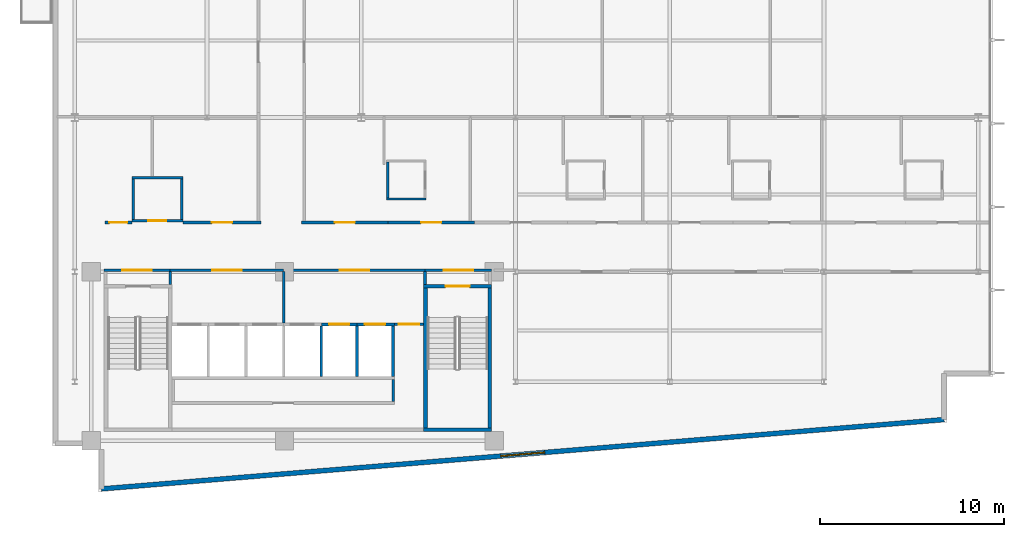
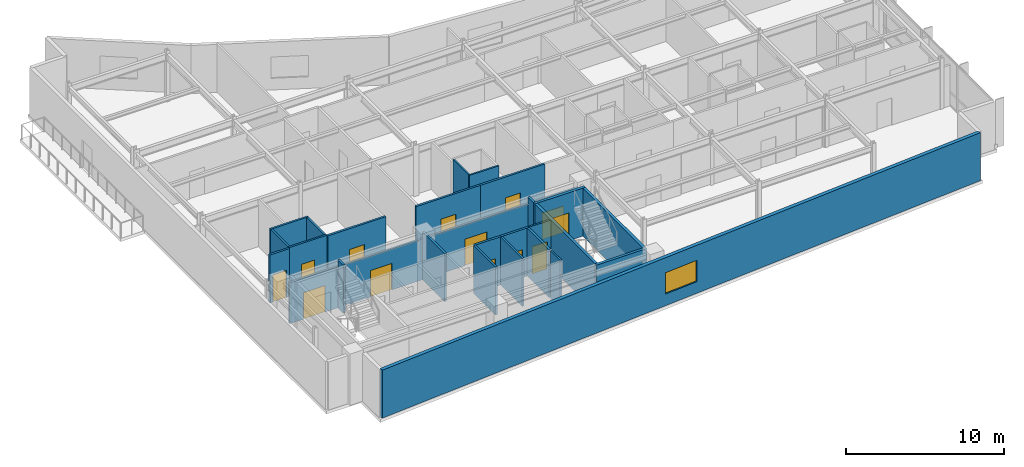
# One storey, part 11 of 17: 29 walls, 13 doors, 1 window, 14 openings.
"""IFC4 building model written with IfcOpenShell, lengths in metres."""

import ifcopenshell
import ifcopenshell.guid

model = None  # the IFC model being written
_history = None  # IfcOwnerHistory: only IFC2X3 demands one
_inside = {}  # id of a spatial element -> (the spatial element, [elements in it])
_under = {}  # id of a project, library or spatial element -> (it, [spatial elements below it])
_declared = {}  # id of a project -> (the project, [libraries it declares])
_typed = {}  # id of a type object -> (the type object, [elements of that type])
_made_of = {}  # id of a material, layer set ... -> (it, [elements and type objects made of it])


def new_model(schema):
    """Start an empty IFC model of exactly this schema.

    Asked for "IFC4X3", IfcOpenShell would pick the latest addendum, in which some entities
    have other attributes; the version numbers below select the first issue.
    IFC2X3 requires an IfcOwnerHistory on every rooted entity: one is made here for all.
    """
    global model, _history
    if schema == "IFC4X3":
        model = ifcopenshell.file(schema_version=(4, 3, 0, 0))
    else:
        model = ifcopenshell.file(schema=schema)
    _inside.clear()
    _under.clear()
    _declared.clear()
    _typed.clear()
    _made_of.clear()
    _history = None
    if model.schema == "IFC2X3":
        org = make("IfcOrganization", Name="unknown")
        user = make(
            "IfcPersonAndOrganization",
            ThePerson=make("IfcPerson", FamilyName="unknown"),
            TheOrganization=org,
        )
        app = make(
            "IfcApplication",
            ApplicationDeveloper=org,
            Version="unknown",
            ApplicationFullName="unknown",
            ApplicationIdentifier="unknown",
        )
        _history = make(
            "IfcOwnerHistory",
            OwningUser=user,
            OwningApplication=app,
            ChangeAction="ADDED",
            CreationDate=0,
        )
    return model


def make(cls, **values):
    """One entity of the class cls with the attributes given. An attribute that is None is left unset."""
    return model.create_entity(
        cls, **{name: value for name, value in values.items() if value is not None}
    )


def rooted(cls, **values):
    """An entity with a GlobalId (a new one), such as an element, a storey or a relation."""
    return make(cls, GlobalId=ifcopenshell.guid.new(), OwnerHistory=_history, **values)


def si_unit(unit_type, name, prefix=None):
    """IfcSIUnit, for example si_unit("LENGTHUNIT", "METRE", prefix="MILLI")."""
    return make("IfcSIUnit", UnitType=unit_type, Prefix=prefix, Name=name)


def assignment(units):
    """IfcUnitAssignment: the units of a project."""
    return None if units is None else make("IfcUnitAssignment", Units=units)


def point(xyz):
    """IfcCartesianPoint."""
    return None if xyz is None else make("IfcCartesianPoint", Coordinates=xyz)


def direction(xyz):
    """IfcDirection."""
    return None if xyz is None else make("IfcDirection", DirectionRatios=xyz)


def frame(location, z_axis=None, x_axis=None):
    """IfcAxis2Placement3D, a coordinate frame: its origin and axes. An axis left out is left unset."""
    return make(
        "IfcAxis2Placement3D",
        Location=point(location),
        Axis=direction(z_axis),
        RefDirection=direction(x_axis),
    )


def frame_2d(location, x_axis=None):
    """IfcAxis2Placement2D, a coordinate frame in the plane: its origin and x axis."""
    return make(
        "IfcAxis2Placement2D", Location=point(location), RefDirection=direction(x_axis)
    )


def origin():
    """The frame at (0, 0, 0) with its axes left unset."""
    return frame((0.0, 0.0, 0.0))


def place(relative_to, where):
    """IfcLocalPlacement: puts the frame where relative to a parent placement (None: the world)."""
    return make(
        "IfcLocalPlacement", PlacementRelTo=relative_to, RelativePlacement=where
    )


def context(
    kind, dimensions, precision=None, world=None, true_north=None, identifier=None
):
    """IfcGeometricRepresentationContext, for example the 3D "Model" context."""
    return make(
        "IfcGeometricRepresentationContext",
        ContextIdentifier=identifier,
        ContextType=kind,
        CoordinateSpaceDimension=dimensions,
        Precision=precision,
        WorldCoordinateSystem=world,
        TrueNorth=true_north,
    )


def subcontext(parent, identifier, kind, view, scale=None):
    """IfcGeometricRepresentationSubContext, for example "Body" below "Model"."""
    return make(
        "IfcGeometricRepresentationSubContext",
        ContextIdentifier=identifier,
        ContextType=kind,
        ParentContext=parent,
        TargetScale=scale,
        TargetView=view,
    )


def project(units=None, contexts=None):
    """IfcProject with its units and contexts."""
    return rooted(
        "IfcProject",
        Name="project",
        RepresentationContexts=contexts,
        UnitsInContext=assignment(units),
    )


def spatial(cls, under=None, at=None, **own):
    """A site, building, storey or space (cls), placed at a placement, below another one or the project."""
    s = rooted(cls, ObjectPlacement=at, **own)
    if under is not None:
        _under.setdefault(under.id(), (under, []))[1].append(s)
    return s


def profile(cls, at=None, kind="AREA", **sizes):
    """A parametric profile (cls). Its sizes go by their IFC names, for example OverallWidth=200.0."""
    return make(cls, ProfileType=kind, Position=at, **sizes)


def rectangle(**sizes):
    """IfcRectangleProfileDef."""
    return profile("IfcRectangleProfileDef", **sizes)


def extrude(swept, where, along, depth):
    """IfcExtrudedAreaSolid: the profile swept, set in the frame where, extruded along a direction by depth."""
    return make(
        "IfcExtrudedAreaSolid",
        SweptArea=swept,
        Position=where,
        ExtrudedDirection=direction(along),
        Depth=depth,
    )


def shape(context_of_items, identifier, shape_type, items):
    """IfcShapeRepresentation: the items that make up one representation, for example the "Body"."""
    return make(
        "IfcShapeRepresentation",
        ContextOfItems=context_of_items,
        RepresentationIdentifier=identifier,
        RepresentationType=shape_type,
        Items=items,
    )


def material(Name=None, Category=None):
    """IfcMaterial."""
    return make("IfcMaterial", Name=Name, Category=Category)


def layer(
    of_material, thickness, ventilated=None, Name=None, Category=None, Priority=None
):
    """IfcMaterialLayer: one layer of a wall or slab, of a material (None: an air gap)."""
    return make(
        "IfcMaterialLayer",
        Material=of_material,
        LayerThickness=thickness,
        IsVentilated=ventilated,
        Name=Name,
        Category=Category,
        Priority=Priority,
    )


def layer_set(layers, Name=None):
    """IfcMaterialLayerSet."""
    return make("IfcMaterialLayerSet", MaterialLayers=layers, LayerSetName=Name)


def made_of(thing, what):
    """Note that an element or type object is made of a material, layer set ...; save() writes the relation."""
    if what is not None:
        _made_of.setdefault(what.id(), (what, []))[1].append(thing)
    return thing


def type_object(cls, material=None, **own):
    """A type object (cls), such as IfcWallType, which elements share."""
    return made_of(rooted(cls, **own), material)


def element(
    cls,
    number,
    at=None,
    inside=None,
    cuts=None,
    type_object=None,
    material=None,
    context=None,
    identifier="Body",
    shape_type=None,
    held_by="IfcProductDefinitionShape",
    body=None,
    shapes=None,
    **own,
):
    """One element of the class cls, such as IfcWall. Its Tag is "e" and its number.

    at: its placement. inside: the storey or other place that contains it. cuts: it is an
    opening in that element (IfcRelVoidsElement). A single representation is given by context,
    identifier, shape_type and body (its items); several are given by shapes. held_by: the class
    of the entity that holds the representations. save() writes the other relations.
    """
    e = rooted(cls, Tag="e%d" % number, ObjectPlacement=at, **own)
    if body is not None:
        shapes = [shape(context, identifier, shape_type, body)]
    if shapes is not None:
        e.Representation = make(held_by, Representations=shapes)
    if inside is not None:
        _inside.setdefault(inside.id(), (inside, []))[1].append(e)
    if cuts is not None:
        rooted(
            "IfcRelVoidsElement", RelatingBuildingElement=cuts, RelatedOpeningElement=e
        )
    if type_object is not None:
        _typed.setdefault(type_object.id(), (type_object, []))[1].append(e)
    return made_of(e, material)


def fill(opening, filler):
    """IfcRelFillsElement: the door or window that sits in an opening."""
    return rooted(
        "IfcRelFillsElement",
        RelatingOpeningElement=opening,
        RelatedBuildingElement=filler,
    )


def aggregate(whole, parts):
    """IfcRelAggregates: a whole, such as a stair, and the parts it consists of."""
    return rooted("IfcRelAggregates", RelatingObject=whole, RelatedObjects=parts)


def save(model, path):
    """Write the relations noted so far, then the file.

    IfcRelAggregates (storeys below a building ...), IfcRelContainedInSpatialStructure (elements
    in a storey), IfcRelDefinesByType, IfcRelAssociatesMaterial and IfcRelDeclares: one each for
    every whole, place, type object, material and project.
    """
    for whole, parts in _under.values():
        aggregate(whole, parts)
    for where, things in _inside.values():
        rooted(
            "IfcRelContainedInSpatialStructure",
            RelatedElements=things,
            RelatingStructure=where,
        )
    for kind, things in _typed.values():
        rooted("IfcRelDefinesByType", RelatedObjects=things, RelatingType=kind)
    for what, things in _made_of.values():
        rooted("IfcRelAssociatesMaterial", RelatedObjects=things, RelatingMaterial=what)
    for by, libraries in _declared.values():
        rooted("IfcRelDeclares", RelatingContext=by, RelatedDefinitions=libraries)
    model.write(path)


model = new_model("IFC4")

# Units and contexts
model_context = context("Model", 3, precision=1e-05, world=origin(), true_north=direction((0.0, 1.0)))
body_context = subcontext(model_context, "Body", "Model", "MODEL_VIEW")
ifc_project = project(units=[si_unit("LENGTHUNIT", "METRE"), si_unit("AREAUNIT", "SQUARE_METRE"), si_unit("VOLUMEUNIT", "CUBIC_METRE"), si_unit("PLANEANGLEUNIT", "RADIAN"), si_unit("MASSUNIT", "GRAM", prefix="KILO")], contexts=[model_context])

# Site, building, storey
site_placement = place(None, origin())
site = spatial("IfcSite", under=ifc_project, at=site_placement, CompositionType="ELEMENT")
building_placement = place(site_placement, origin())
building = spatial("IfcBuilding", under=site, at=building_placement, Name="Varnakote Quay Hospital", CompositionType="ELEMENT")
storey_placement = place(building_placement, frame((0.0, 0.0, 203.949951171875)))
storey = spatial("IfcBuildingStorey", under=building, at=storey_placement, Name="L50", CompositionType="ELEMENT", Elevation=203.949951171875)

# Wall, opening, door
ifc_material_1 = material(Name="Fire-rated acoustic gypsum stud wall", Category="gypsum")
ifc_layer_1 = layer(ifc_material_1, 0.159912109375)
ifc_layer_set_1 = layer_set([ifc_layer_1], Name="Fire-rated acoustic gypsum stud wall")
wall_type_1 = type_object("IfcWallType", Name="WL-COMP-160", PredefinedType="PARTITIONING", material=ifc_layer_set_1)
wall_1_placement = place(storey_placement, frame((2.800048828125, 12.080078125, 0.0), z_axis=(0.0, 0.0, 1.0), x_axis=(1.0, 0.0, 0.0)))
wall_1 = element("IfcWall", 1, at=wall_1_placement, inside=storey, type_object=wall_type_1, Name="L50 West Stair Vestibule Smoke Wall", PredefinedType="PARTITIONING", context=body_context, shape_type="SweptSolid", body=[
    extrude(rectangle(XDim=3.599853515625, YDim=0.159912109375, at=frame_2d((1.7998046875, 0.0))), origin(), (0.0, 0.0, 1.0), 3.152099609375),
])
opening_1_placement = place(wall_1_placement, frame((1.0, 0.0, 0.0)))
opening_1 = element("IfcOpeningElement", 2, at=opening_1_placement, cuts=wall_1, Name="Opening D-ST1L-L50", PredefinedType="OPENING", context=body_context, shape_type="SweptSolid", body=[
    extrude(rectangle(XDim=1.60009765625, YDim=2.050048828125, at=frame_2d((0.800048828125, 1.02490234375))), frame((0.0, 0.08984375, 0.0), z_axis=(0.0, -1.0, 0.0), x_axis=(1.0, 0.0, 0.0)), (0.0, 0.0, 1.0), 0.179931640625),
])
ifc_material_2 = material(Name="Fire-rated double smoke lobby door")
door_type_1 = type_object("IfcDoorType", Name="DR-LOBBY-FD60S-1600x2150", OperationType="NOTDEFINED", PredefinedType="DOOR", material=ifc_material_2)
door_1_placement = place(opening_1_placement, origin())
door_1 = element("IfcDoor", 3, at=door_1_placement, inside=storey, type_object=door_type_1, Name="L50 West Stair Vestibule Smoke Door", OperationType="DOUBLE_DOOR_SINGLE_SWING", OverallHeight=2.050048828125, OverallWidth=1.60009765625, PredefinedType="DOOR", context=body_context, shape_type="SweptSolid", body=[
    extrude(rectangle(XDim=1.60009765625, YDim=2.050048828125, at=frame_2d((0.800048828125, 1.02490234375))), frame((0.0, 0.02490234375, 0.0), z_axis=(0.0, -1.0, 0.0), x_axis=(1.0, 0.0, 0.0)), (0.0, 0.0, 1.0), 0.050048828125),
])
fill(opening_1, door_1)

# Wall
wall_2_placement = place(storey_placement, frame((6.39990234375, 11.300048828125, 0.0), z_axis=(0.0, 0.0, 1.0), x_axis=(0.0, 1.0, 0.0)))
element("IfcWall", 4, at=wall_2_placement, inside=storey, type_object=wall_type_1, Name="L50 Firefighting Lobby West Wall", PredefinedType="PARTITIONING", context=body_context, shape_type="SweptSolid", body=[
    extrude(rectangle(XDim=0.699951171875, YDim=0.159912109375, at=frame_2d((0.35009765625, 0.0))), origin(), (0.0, 0.0, 1.0), 3.7099609375),
])

# Wall, opening, door
wall_3_placement = place(storey_placement, frame((6.39990234375, 12.080078125, 0.0), z_axis=(0.0, 0.0, 1.0), x_axis=(1.0, 0.0, 0.0)))
wall_3 = element("IfcWall", 5, at=wall_3_placement, inside=storey, type_object=wall_type_1, Name="L50 Firefighting Lift Lobby Compartment Wall", PredefinedType="PARTITIONING", context=body_context, shape_type="SweptSolid", body=[
    extrude(rectangle(XDim=6.18017578125, YDim=0.159912109375, at=frame_2d((3.090087890625, 0.0))), origin(), (0.0, 0.0, 1.0), 3.152099609375),
])
opening_2_placement = place(wall_3_placement, frame((2.2900390625, 0.0, 0.0)))
opening_2 = element("IfcOpeningElement", 6, at=opening_2_placement, cuts=wall_3, Name="Opening D-FFL-L50", PredefinedType="OPENING", context=body_context, shape_type="SweptSolid", body=[
    extrude(rectangle(XDim=1.60009765625, YDim=2.050048828125, at=frame_2d((0.800048828125, 1.02490234375))), frame((0.0, 0.08984375, 0.0), z_axis=(0.0, -1.0, 0.0), x_axis=(1.0, 0.0, 0.0)), (0.0, 0.0, 1.0), 0.179931640625),
])
door_2_placement = place(opening_2_placement, origin())
door_2 = element("IfcDoor", 7, at=door_2_placement, inside=storey, type_object=door_type_1, Name="L50 Firefighting Smoke Vestibule Door", OperationType="DOUBLE_DOOR_SINGLE_SWING", OverallHeight=2.050048828125, OverallWidth=1.60009765625, PredefinedType="DOOR", context=body_context, shape_type="SweptSolid", body=[
    extrude(rectangle(XDim=1.60009765625, YDim=2.050048828125, at=frame_2d((0.800048828125, 1.02490234375))), frame((0.0, 0.02490234375, 0.0), z_axis=(0.0, -1.0, 0.0), x_axis=(1.0, 0.0, 0.0)), (0.0, 0.0, 1.0), 0.050048828125),
])
fill(opening_2, door_2)

# Wall
wall_4_placement = place(storey_placement, frame((12.580078125, 9.2099609375, 0.0), z_axis=(0.0, 0.0, 1.0), x_axis=(0.0, 1.0, 0.0)))
element("IfcWall", 8, at=wall_4_placement, inside=storey, type_object=wall_type_1, Name="L50 Firefighting to Service Lobby Wall", PredefinedType="PARTITIONING", context=body_context, shape_type="SweptSolid", body=[
    extrude(rectangle(XDim=2.7900390625, YDim=0.159912109375, at=frame_2d((1.39501953125, 0.0))), origin(), (0.0, 0.0, 1.0), 3.7099609375),
])

# Wall, opening, door
wall_5_placement = place(storey_placement, frame((12.580078125, 12.080078125, 0.0), z_axis=(0.0, 0.0, 1.0), x_axis=(1.0, 0.0, 0.0)))
wall_5 = element("IfcWall", 9, at=wall_5_placement, inside=storey, type_object=wall_type_1, Name="L50 Clinical Bed Lift Lobby Wall", PredefinedType="PARTITIONING", context=body_context, shape_type="SweptSolid", body=[
    extrude(rectangle(XDim=7.699951171875, YDim=0.159912109375, at=frame_2d((3.85009765625, 0.0))), origin(), (0.0, 0.0, 1.0), 3.152099609375),
])
opening_3_placement = place(wall_5_placement, frame((3.050048828125, 0.0, 0.0)))
opening_3 = element("IfcOpeningElement", 10, at=opening_3_placement, cuts=wall_5, Name="Opening D-SVL-L50", PredefinedType="OPENING", context=body_context, shape_type="SweptSolid", body=[
    extrude(rectangle(XDim=1.60009765625, YDim=2.050048828125, at=frame_2d((0.800048828125, 1.02490234375))), frame((0.0, 0.08984375, 0.0), z_axis=(0.0, -1.0, 0.0), x_axis=(1.0, 0.0, 0.0)), (0.0, 0.0, 1.0), 0.179931640625),
])
door_3_placement = place(opening_3_placement, origin())
door_3 = element("IfcDoor", 11, at=door_3_placement, inside=storey, type_object=door_type_1, Name="L50 Clinical Core Smoke Vestibule Door", OperationType="DOUBLE_DOOR_SINGLE_SWING", OverallHeight=2.050048828125, OverallWidth=1.60009765625, PredefinedType="DOOR", context=body_context, shape_type="SweptSolid", body=[
    extrude(rectangle(XDim=1.60009765625, YDim=2.050048828125, at=frame_2d((0.800048828125, 1.02490234375))), frame((0.0, 0.02490234375, 0.0), z_axis=(0.0, -1.0, 0.0), x_axis=(1.0, 0.0, 0.0)), (0.0, 0.0, 1.0), 0.050048828125),
])
fill(opening_3, door_3)

# Wall
wall_6_placement = place(storey_placement, frame((20.280029296875, 11.300048828125, 0.0), z_axis=(0.0, 0.0, 1.0), x_axis=(0.0, 1.0, 0.0)))
element("IfcWall", 12, at=wall_6_placement, inside=storey, type_object=wall_type_1, Name="L50 East Stair Vestibule Divider Wall", PredefinedType="PARTITIONING", context=body_context, shape_type="SweptSolid", body=[
    extrude(rectangle(XDim=0.699951171875, YDim=0.159912109375, at=frame_2d((0.35009765625, 0.0))), origin(), (0.0, 0.0, 1.0), 3.7099609375),
])

# Wall, opening, door
wall_7_placement = place(storey_placement, frame((20.280029296875, 12.080078125, 0.0), z_axis=(0.0, 0.0, 1.0), x_axis=(1.0, 0.0, 0.0)))
wall_7 = element("IfcWall", 13, at=wall_7_placement, inside=storey, type_object=wall_type_1, Name="L50 East Stair Vestibule Smoke Wall", PredefinedType="PARTITIONING", context=body_context, shape_type="SweptSolid", body=[
    extrude(rectangle(XDim=3.619873046875, YDim=0.159912109375, at=frame_2d((1.81005859375, 0.0))), origin(), (0.0, 0.0, 1.0), 3.152099609375),
])
opening_4_placement = place(wall_7_placement, frame((1.010009765625, 0.0, 0.0)))
opening_4 = element("IfcOpeningElement", 14, at=opening_4_placement, cuts=wall_7, Name="Opening D-ST2L-L50", PredefinedType="OPENING", context=body_context, shape_type="SweptSolid", body=[
    extrude(rectangle(XDim=1.60009765625, YDim=2.050048828125, at=frame_2d((0.800048828125, 1.02490234375))), frame((0.0, 0.08984375, 0.0), z_axis=(0.0, -1.0, 0.0), x_axis=(1.0, 0.0, 0.0)), (0.0, 0.0, 1.0), 0.179931640625),
])
door_4_placement = place(opening_4_placement, origin())
door_4 = element("IfcDoor", 15, at=door_4_placement, inside=storey, type_object=door_type_1, Name="L50 East Stair Vestibule Smoke Door", OperationType="DOUBLE_DOOR_SINGLE_SWING", OverallHeight=2.050048828125, OverallWidth=1.60009765625, PredefinedType="DOOR", context=body_context, shape_type="SweptSolid", body=[
    extrude(rectangle(XDim=1.60009765625, YDim=2.050048828125, at=frame_2d((0.800048828125, 1.02490234375))), frame((0.0, 0.02490234375, 0.0), z_axis=(0.0, -1.0, 0.0), x_axis=(1.0, 0.0, 0.0)), (0.0, 0.0, 1.0), 0.050048828125),
])
fill(opening_4, door_4)

# Walls
ifc_material_3 = material(Name="Moisture-resistant bathroom partition", Category="gypsum")
ifc_layer_2 = layer(ifc_material_3, 0.114990234375)
ifc_layer_set_2 = layer_set([ifc_layer_2], Name="Moisture-resistant bathroom partition")
wall_type_2 = type_object("IfcWallType", Name="WL-ENS-115", PredefinedType="PARTITIONING", material=ifc_layer_set_2)
wall_8_placement = place(storey_placement, frame((18.18505859375, 15.952392578125, 0.0), z_axis=(0.0, 0.0, 1.0), x_axis=(1.0, 0.0, 0.0)))
element("IfcWall", 16, at=wall_8_placement, inside=storey, type_object=wall_type_2, Name="L50 Inpatient En-Suite Bathroom 01 S Wall", PredefinedType="PARTITIONING", context=body_context, shape_type="SweptSolid", body=[
    extrude(rectangle(XDim=2.14990234375, YDim=0.114990234375, at=frame_2d((1.074951171875, 0.0))), origin(), (0.0, 0.0, 1.0), 3.7099609375),
])
wall_9_placement = place(storey_placement, frame((18.242431640625, 16.010009765625, 0.0), z_axis=(0.0, 0.0, 1.0), x_axis=(0.0, 1.0, 0.0)))
element("IfcWall", 17, at=wall_9_placement, inside=storey, type_object=wall_type_2, Name="L50 Inpatient En-Suite Bathroom 01 W Wall", PredefinedType="PARTITIONING", context=body_context, shape_type="SweptSolid", body=[
    extrude(rectangle(XDim=1.949951171875, YDim=0.114990234375, at=frame_2d((0.97509765625, 0.0))), origin(), (0.0, 0.0, 1.0), 3.7099609375),
])

# Wall, opening, window
ifc_material_4 = material(Name="Precast concrete N50 (f'c 50 MPa)", Category="concrete")
ifc_layer_3 = layer(ifc_material_4, 0.260009765625)
ifc_layer_set_3 = layer_set([ifc_layer_3], Name="Precast concrete N50 (f'c 50 MPa)")
wall_type_3 = type_object("IfcWallType", Name="WL-EXT-BRICK-260", PredefinedType="STANDARD", material=ifc_layer_set_3)
wall_10_placement = place(storey_placement, frame((2.659912109375, 0.173583984375, 0.0), z_axis=(0.0, 0.0, 1.0), x_axis=(0.996634028439, 0.081979347142, 0.0)))
wall_10 = element("IfcWall", 18, at=wall_10_placement, inside=storey, type_object=wall_type_3, Name="L50 Brick-Faced Precast Exterior Wall", PredefinedType="STANDARD", context=body_context, shape_type="SweptSolid", body=[
    extrude(rectangle(XDim=46.03515625, YDim=0.260009765625, at=frame_2d((23.017578125, 0.0))), origin(), (0.0, 0.0, 1.0), 3.7099609375),
])
opening_5_placement = place(wall_10_placement, frame((21.8173828125, 0.0, 0.89990234375)))
opening_5 = element("IfcOpeningElement", 19, at=opening_5_placement, cuts=wall_10, Name="Opening WN-0206", PredefinedType="OPENING", context=body_context, shape_type="SweptSolid", body=[
    extrude(rectangle(XDim=2.39990234375, YDim=1.64990234375, at=frame_2d((1.199951171875, 0.824951171875))), frame((0.0, 0.139892578125, 0.0), z_axis=(0.0, -1.0, 0.0), x_axis=(1.0, 0.0, 0.0)), (0.0, 0.0, 1.0), 0.280029296875),
])
ifc_material_5 = material(Name="Double-glazed low-E solar glass", Category="glass")
window_type = type_object("IfcWindowType", Name="WIN-CLIN-2400x1650", PartitioningType="SINGLE_PANEL", PredefinedType="WINDOW", material=ifc_material_5)
window_placement = place(opening_5_placement, origin())
window = element("IfcWindow", 20, at=window_placement, inside=storey, type_object=window_type, Name="L50 Solar-Control Clinical Window", OverallHeight=1.64990234375, OverallWidth=2.39990234375, PartitioningType="SINGLE_PANEL", PredefinedType="WINDOW", context=body_context, shape_type="SweptSolid", body=[
    extrude(rectangle(XDim=2.39990234375, YDim=1.64990234375, at=frame_2d((1.199951171875, 0.824951171875))), frame((0.0, 0.030029296875, 0.0), z_axis=(0.0, -1.0, 0.0), x_axis=(1.0, 0.0, 0.0)), (0.0, 0.0, 1.0), 0.06005859375),
])
fill(opening_5, window)

# Walls
ifc_material_6 = material(Name="Concrete N50 (f'c 50 MPa)", Category="concrete")
ifc_layer_4 = layer(ifc_material_6, 0.14990234375)
ifc_layer_set_4 = layer_set([ifc_layer_4], Name="Concrete N50 (f'c 50 MPa)")
wall_type_4 = type_object("IfcWallType", Name="WL-SHAFT-N50-150", PredefinedType="SHEAR", material=ifc_layer_set_4)
for number, where, z_axis, x_axis, name in (
    (21, (14.625, 6.300048828125, 0.0), (0.0, 0.0, 1.0), (0.0, 1.0, 0.0), "L50 LF-SV2 Hoistway Divider Wall"),
    (22, (16.574951171875, 6.300048828125, 0.0), (0.0, 0.0, 1.0), (0.0, 1.0, 0.0), "L50 LF-PH1 Hoistway Divider Wall"),
):
    element("IfcWall", number, at=place(storey_placement, frame(where, z_axis=z_axis, x_axis=x_axis)), inside=storey, type_object=wall_type_4, Name=name, PredefinedType="SHEAR", context=body_context, shape_type="SweptSolid", body=[
        extrude(rectangle(XDim=2.75, YDim=0.14990234375, at=frame_2d((1.375, 0.0))), origin(), (0.0, 0.0, 1.0), 3.7099609375),
    ])
ifc_material_7 = material(Name="Concrete N50 (f'c 50 MPa)", Category="concrete")
ifc_layer_5 = layer(ifc_material_7, 0.159912109375)
ifc_layer_set_5 = layer_set([ifc_layer_5], Name="Concrete N50 (f'c 50 MPa)")
wall_type_5 = type_object("IfcWallType", Name="WL-SHAFT-N50-160", PredefinedType="SHEAR", material=ifc_layer_set_5)
wall_11_placement = place(storey_placement, frame((18.530029296875, 6.300048828125, 0.0), z_axis=(0.0, 0.0, 1.0), x_axis=(0.0, 1.0, 0.0)))
element("IfcWall", 23, at=wall_11_placement, inside=storey, type_object=wall_type_5, Name="L50 REAR Lift Bank East Shear Wall", PredefinedType="SHEAR", context=body_context, shape_type="SweptSolid", body=[
    extrude(rectangle(XDim=2.75, YDim=0.159912109375, at=frame_2d((1.375, 0.0))), origin(), (0.0, 0.0, 1.0), 3.7099609375),
])

# Wall, opening, door
wall_12_placement = place(storey_placement, frame((14.625, 9.1298828125, 0.0), z_axis=(0.0, 0.0, 1.0), x_axis=(1.0, 0.0, 0.0)))
wall_12 = element("IfcWall", 24, at=wall_12_placement, inside=storey, type_object=wall_type_5, Name="L50 LF-PH1 Hoistway Front Wall", PredefinedType="SHEAR", context=body_context, shape_type="SweptSolid", body=[
    extrude(rectangle(XDim=1.949951171875, YDim=0.159912109375, at=frame_2d((0.97509765625, 0.0))), origin(), (0.0, 0.0, 1.0), 3.7099609375),
])
opening_6_placement = place(wall_12_placement, frame((0.425048828125, 0.0, 0.0)))
opening_6 = element("IfcOpeningElement", 25, at=opening_6_placement, cuts=wall_12, Name="Opening LD-PH1-L50", PredefinedType="OPENING", context=body_context, shape_type="SweptSolid", body=[
    extrude(rectangle(XDim=1.10009765625, YDim=2.14990234375, at=frame_2d((0.550048828125, 1.074951171875))), frame((0.0, 0.08984375, 0.0), z_axis=(0.0, -1.0, 0.0), x_axis=(1.0, 0.0, 0.0)), (0.0, 0.0, 1.0), 0.179931640625),
])
ifc_material_8 = material(Name="Brushed bronze lift landing sliding door")
door_type_2 = type_object("IfcDoorType", Name="DR-LIFT-LD-1100x2150", OperationType="NOTDEFINED", PredefinedType="DOOR", material=ifc_material_8)
door_5_placement = place(opening_6_placement, origin())
door_5 = element("IfcDoor", 26, at=door_5_placement, inside=storey, type_object=door_type_2, Name="L50 LF-PH1 Lift Landing Sliding Door", OperationType="SLIDING_TO_LEFT", OverallHeight=2.14990234375, OverallWidth=1.10009765625, PredefinedType="DOOR", context=body_context, shape_type="SweptSolid", body=[
    extrude(rectangle(XDim=1.10009765625, YDim=2.14990234375, at=frame_2d((0.550048828125, 1.074951171875))), frame((0.0, 0.02490234375, 0.0), z_axis=(0.0, -1.0, 0.0), x_axis=(1.0, 0.0, 0.0)), (0.0, 0.0, 1.0), 0.050048828125),
])
fill(opening_6, door_5)

wall_13_placement = place(storey_placement, frame((16.574951171875, 9.1298828125, 0.0), z_axis=(0.0, 0.0, 1.0), x_axis=(1.0, 0.0, 0.0)))
wall_13 = element("IfcWall", 27, at=wall_13_placement, inside=storey, type_object=wall_type_5, Name="L50 LF-PH2 Hoistway Front Wall", PredefinedType="SHEAR", context=body_context, shape_type="SweptSolid", body=[
    extrude(rectangle(XDim=2.03515625, YDim=0.159912109375, at=frame_2d((1.017578125, 0.0))), origin(), (0.0, 0.0, 1.0), 3.7099609375),
])
opening_7_placement = place(wall_13_placement, frame((0.425048828125, 0.0, 0.0)))
opening_7 = element("IfcOpeningElement", 28, at=opening_7_placement, cuts=wall_13, Name="Opening LD-PH2-L50", PredefinedType="OPENING", context=body_context, shape_type="SweptSolid", body=[
    extrude(rectangle(XDim=1.10009765625, YDim=2.14990234375, at=frame_2d((0.550048828125, 1.074951171875))), frame((0.0, 0.08984375, 0.0), z_axis=(0.0, -1.0, 0.0), x_axis=(1.0, 0.0, 0.0)), (0.0, 0.0, 1.0), 0.179931640625),
])
door_6_placement = place(opening_7_placement, origin())
door_6 = element("IfcDoor", 29, at=door_6_placement, inside=storey, type_object=door_type_2, Name="L50 LF-PH2 Lift Landing Sliding Door", OperationType="SLIDING_TO_LEFT", OverallHeight=2.14990234375, OverallWidth=1.10009765625, PredefinedType="DOOR", context=body_context, shape_type="SweptSolid", body=[
    extrude(rectangle(XDim=1.10009765625, YDim=2.14990234375, at=frame_2d((0.550048828125, 1.074951171875))), frame((0.0, 0.02490234375, 0.0), z_axis=(0.0, -1.0, 0.0), x_axis=(1.0, 0.0, 0.0)), (0.0, 0.0, 1.0), 0.050048828125),
])
fill(opening_7, door_6)

# Walls
ifc_material_9 = material(Name="Concrete N50 (f'c 50 MPa)", Category="concrete")
ifc_layer_6 = layer(ifc_material_9, 0.199951171875)
ifc_layer_set_6 = layer_set([ifc_layer_6], Name="Concrete N50 (f'c 50 MPa)")
wall_type_6 = type_object("IfcWallType", Name="WL-SHAFT-N50-200", PredefinedType="SHEAR", material=ifc_layer_set_6)
wall_14_placement = place(storey_placement, frame((20.199951171875, 3.39990234375, 0.0), z_axis=(0.0, 0.0, 1.0), x_axis=(1.0, 0.0, 0.0)))
element("IfcWall", 30, at=wall_14_placement, inside=storey, type_object=wall_type_6, Name="L50 Stair ST2 South Shaft Wall", PredefinedType="SHEAR", context=body_context, shape_type="SweptSolid", body=[
    extrude(rectangle(XDim=3.699951171875, YDim=0.199951171875, at=frame_2d((1.85009765625, 0.0))), origin(), (0.0, 0.0, 1.0), 3.7099609375),
])
for number, where, z_axis, x_axis, name in (
    (31, (20.300048828125, 3.5, 0.0), (0.0, 0.0, 1.0), (0.0, 1.0, 0.0), "L50 Stair ST2 West Shaft Wall"),
    (32, (23.800048828125, 3.5, 0.0), (0.0, 0.0, 1.0), (0.0, 1.0, 0.0), "L50 Stair ST2 East Shaft Wall"),
):
    element("IfcWall", number, at=place(storey_placement, frame(where, z_axis=z_axis, x_axis=x_axis)), inside=storey, type_object=wall_type_6, Name=name, PredefinedType="SHEAR", context=body_context, shape_type="SweptSolid", body=[
        extrude(rectangle(XDim=7.60009765625, YDim=0.199951171875, at=frame_2d((3.800048828125, 0.0))), origin(), (0.0, 0.0, 1.0), 3.7099609375),
    ])

# Wall, opening, door
wall_15_placement = place(storey_placement, frame((20.199951171875, 11.199951171875, 0.0), z_axis=(0.0, 0.0, 1.0), x_axis=(1.0, 0.0, 0.0)))
wall_15 = element("IfcWall", 33, at=wall_15_placement, inside=storey, type_object=wall_type_6, Name="L50 Stair ST2 Exit Wall", PredefinedType="SHEAR", context=body_context, shape_type="SweptSolid", body=[
    extrude(rectangle(XDim=3.699951171875, YDim=0.199951171875, at=frame_2d((1.85009765625, 0.0))), origin(), (0.0, 0.0, 1.0), 3.7099609375),
])
opening_8_placement = place(wall_15_placement, frame((1.199951171875, 0.0, 0.0)))
opening_8 = element("IfcOpeningElement", 34, at=opening_8_placement, cuts=wall_15, Name="Opening D-ST2-L50", PredefinedType="OPENING", context=body_context, shape_type="SweptSolid", body=[
    extrude(rectangle(XDim=1.300048828125, YDim=2.14990234375, at=frame_2d((0.64990234375, 1.074951171875))), frame((0.0, 0.10986328125, 0.0), z_axis=(0.0, -1.0, 0.0), x_axis=(1.0, 0.0, 0.0)), (0.0, 0.0, 1.0), 0.219970703125),
])
ifc_material_10 = material(Name="Fire-rated ceramic-glazed timber exit door", Category="wood")
door_type_3 = type_object("IfcDoorType", Name="DR-STAIR-FD60S-1300x2150", OperationType="NOTDEFINED", PredefinedType="DOOR", material=ifc_material_10)
door_7_placement = place(opening_8_placement, origin())
door_7 = element("IfcDoor", 35, at=door_7_placement, inside=storey, type_object=door_type_3, Name="L50 Stair ST2 Fire Exit Door", OperationType="SINGLE_SWING_LEFT", OverallHeight=2.14990234375, OverallWidth=1.300048828125, PredefinedType="DOOR", context=body_context, shape_type="SweptSolid", body=[
    extrude(rectangle(XDim=1.300048828125, YDim=2.14990234375, at=frame_2d((0.64990234375, 1.074951171875))), frame((0.0, 0.02490234375, 0.0), z_axis=(0.0, -1.0, 0.0), x_axis=(1.0, 0.0, 0.0)), (0.0, 0.0, 1.0), 0.050048828125),
])
fill(opening_8, door_7)

# Wall
ifc_material_11 = material(Name="Smoke-proof clinical partition", Category="gypsum")
ifc_layer_7 = layer(ifc_material_11, 0.1201171875)
ifc_layer_set_7 = layer_set([ifc_layer_7], Name="Smoke-proof clinical partition")
wall_type_7 = type_object("IfcWallType", Name="WL-SMOKE-120", PredefinedType="PARTITIONING", material=ifc_layer_set_7)
wall_16_placement = place(storey_placement, frame((18.5400390625, 4.919921875, 0.0), z_axis=(0.0, 0.0, 1.0), x_axis=(0.0, 1.0, 0.0)))
element("IfcWall", 36, at=wall_16_placement, inside=storey, type_object=wall_type_7, Name="L50 Core Service Strip East Wall", PredefinedType="PARTITIONING", context=body_context, shape_type="SweptSolid", body=[
    extrude(rectangle(XDim=1.219970703125, YDim=0.1201171875, at=frame_2d((0.60986328125, 0.0))), origin(), (0.0, 0.0, 1.0), 3.7099609375),
])

# Wall, opening, door
ifc_material_12 = material(Name="Fire-rated clinical gypsum partition", Category="gypsum")
ifc_layer_8 = layer(ifc_material_12, 0.139892578125)
ifc_layer_set_8 = layer_set([ifc_layer_8], Name="Fire-rated clinical gypsum partition")
wall_type_8 = type_object("IfcWallType", Name="WL-WARD-140", PredefinedType="PARTITIONING", material=ifc_layer_set_8)
wall_17_placement = place(storey_placement, frame((18.610107421875, 9.1298828125, 0.0), z_axis=(0.0, 0.0, 1.0), x_axis=(1.0, 0.0, 0.0)))
wall_17 = element("IfcWall", 37, at=wall_17_placement, inside=storey, type_object=wall_type_8, Name="L50 Core Service Corridor North Door Wall", PredefinedType="PARTITIONING", context=body_context, shape_type="SweptSolid", body=[
    extrude(rectangle(XDim=1.58984375, YDim=0.139892578125, at=frame_2d((0.794921875, 0.0))), origin(), (0.0, 0.0, 1.0), 3.7099609375),
])
opening_9_placement = place(wall_17_placement, frame((0.239990234375, 0.0, 0.0)))
opening_9 = element("IfcOpeningElement", 38, at=opening_9_placement, cuts=wall_17, Name="Opening D-CSRV-L50", PredefinedType="OPENING", context=body_context, shape_type="SweptSolid", body=[
    extrude(rectangle(XDim=1.10009765625, YDim=2.10009765625, at=frame_2d((0.550048828125, 1.050048828125))), frame((0.0, 0.079833984375, 0.0), z_axis=(0.0, -1.0, 0.0), x_axis=(1.0, 0.0, 0.0)), (0.0, 0.0, 1.0), 0.159912109375),
])
ifc_material_13 = material(Name="Acoustic timber clinical consult door", Category="wood")
door_type_4 = type_object("IfcDoorType", Name="DR-CLIN-FD30S-1100x2100", OperationType="NOTDEFINED", PredefinedType="DOOR", material=ifc_material_13)
door_8_placement = place(opening_9_placement, origin())
door_8 = element("IfcDoor", 39, at=door_8_placement, inside=storey, type_object=door_type_4, Name="L50 Core Service Corridor Door", OperationType="SINGLE_SWING_LEFT", OverallHeight=2.10009765625, OverallWidth=1.10009765625, PredefinedType="DOOR", context=body_context, shape_type="SweptSolid", body=[
    extrude(rectangle(XDim=1.10009765625, YDim=2.10009765625, at=frame_2d((0.550048828125, 1.050048828125))), frame((0.0, 0.02490234375, 0.0), z_axis=(0.0, -1.0, 0.0), x_axis=(1.0, 0.0, 0.0)), (0.0, 0.0, 1.0), 0.050048828125),
])
fill(opening_9, door_8)

wall_18_placement = place(storey_placement, frame((4.31005859375, 14.77001953125, 0.0), z_axis=(0.0, 0.0, 1.0), x_axis=(1.0, 0.0, 0.0)))
wall_18 = element("IfcWall", 40, at=wall_18_placement, inside=storey, type_object=wall_type_8, Name="L50 Floor Unisex Accessible WC S Wall", PredefinedType="PARTITIONING", context=body_context, shape_type="SweptSolid", body=[
    extrude(rectangle(XDim=2.780029296875, YDim=0.139892578125, at=frame_2d((1.39013671875, 0.0))), origin(), (0.0, 0.0, 1.0), 3.7099609375),
])
opening_10_placement = place(wall_18_placement, frame((0.89990234375, 0.0, 0.0)))
opening_10 = element("IfcOpeningElement", 41, at=opening_10_placement, cuts=wall_18, Name="Opening D-L50-EW01", PredefinedType="OPENING", context=body_context, shape_type="SweptSolid", body=[
    extrude(rectangle(XDim=0.97998046875, YDim=2.10009765625, at=frame_2d((0.489990234375, 1.050048828125))), frame((0.0, 0.079833984375, 0.0), z_axis=(0.0, -1.0, 0.0), x_axis=(1.0, 0.0, 0.0)), (0.0, 0.0, 1.0), 0.159912109375),
])
ifc_material_14 = material(Name="Accessible sanitary compartment door")
door_type_5 = type_object("IfcDoorType", Name="DR-WC-980x2100", OperationType="NOTDEFINED", PredefinedType="DOOR", material=ifc_material_14)
door_9_placement = place(opening_10_placement, origin())
door_9 = element("IfcDoor", 42, at=door_9_placement, inside=storey, type_object=door_type_5, Name="L50 Floor Unisex Accessible WC Door", OperationType="SINGLE_SWING_RIGHT", OverallHeight=2.10009765625, OverallWidth=0.97998046875, PredefinedType="DOOR", context=body_context, shape_type="SweptSolid", body=[
    extrude(rectangle(XDim=0.97998046875, YDim=2.10009765625, at=frame_2d((0.489990234375, 1.050048828125))), frame((0.0, 0.02490234375, 0.0), z_axis=(0.0, -1.0, 0.0), x_axis=(1.0, 0.0, 0.0)), (0.0, 0.0, 1.0), 0.050048828125),
])
fill(opening_10, door_9)

# Walls
wall_19_placement = place(storey_placement, frame((4.31005859375, 17.110107421875, 0.0), z_axis=(0.0, 0.0, 1.0), x_axis=(1.0, 0.0, 0.0)))
element("IfcWall", 43, at=wall_19_placement, inside=storey, type_object=wall_type_8, Name="L50 Floor Unisex Accessible WC N Wall", PredefinedType="PARTITIONING", context=body_context, shape_type="SweptSolid", body=[
    extrude(rectangle(XDim=2.780029296875, YDim=0.139892578125, at=frame_2d((1.39013671875, 0.0))), origin(), (0.0, 0.0, 1.0), 3.7099609375),
])
for number, where, z_axis, x_axis, name in (
    (44, (4.3798828125, 14.840087890625, 0.0), (0.0, 0.0, 1.0), (0.0, 1.0, 0.0), "L50 Floor Unisex Accessible WC W Wall"),
    (45, (7.02001953125, 14.840087890625, 0.0), (0.0, 0.0, 1.0), (0.0, 1.0, 0.0), "L50 Floor Unisex Accessible WC E Wall"),
):
    element("IfcWall", number, at=place(storey_placement, frame(where, z_axis=z_axis, x_axis=x_axis)), inside=storey, type_object=wall_type_8, Name=name, PredefinedType="PARTITIONING", context=body_context, shape_type="SweptSolid", body=[
        extrude(rectangle(XDim=2.199951171875, YDim=0.139892578125, at=frame_2d((1.10009765625, 0.0))), origin(), (0.0, 0.0, 1.0), 3.7099609375),
    ])

# Wall, opening, door
ifc_material_15 = material(Name="Fire-rated clinical gypsum partition", Category="gypsum")
ifc_layer_9 = layer(ifc_material_15, 0.14990234375)
ifc_layer_set_9 = layer_set([ifc_layer_9], Name="Fire-rated clinical gypsum partition")
wall_type_9 = type_object("IfcWallType", Name="WL-WARD-150", PredefinedType="PARTITIONING", material=ifc_layer_set_9)
wall_20_placement = place(storey_placement, frame((4.30810546875, 14.679931640625, 0.0), z_axis=(0.0, 0.0, 1.0), x_axis=(-1.0, 0.0, 0.0)))
wall_20 = element("IfcWall", 46, at=wall_20_placement, inside=storey, type_object=wall_type_9, Name="L50 Clinical Interior Partition", PredefinedType="PARTITIONING", context=body_context, shape_type="SweptSolid", body=[
    extrude(rectangle(XDim=1.4580078125, YDim=0.14990234375, at=frame_2d((0.72900390625, 0.0))), origin(), (0.0, 0.0, 1.0), 3.7099609375),
])
opening_11_placement = place(wall_20_placement, frame((0.239013671875, 0.0, 0.0)))
opening_11 = element("IfcOpeningElement", 47, at=opening_11_placement, cuts=wall_20, Name="Opening D-L50-MD01", PredefinedType="OPENING", context=body_context, shape_type="SweptSolid", body=[
    extrude(rectangle(XDim=0.97998046875, YDim=2.10009765625, at=frame_2d((0.489990234375, 1.050048828125))), frame((0.0, 0.0849609375, 0.0), z_axis=(0.0, -1.0, 0.0), x_axis=(1.0, 0.0, 0.0)), (0.0, 0.0, 1.0), 0.169921875),
])
door_10_placement = place(opening_11_placement, origin())
door_10 = element("IfcDoor", 48, at=door_10_placement, inside=storey, type_object=door_type_5, Name="L50 Neurology Clinical Teaching Room Door", OperationType="SINGLE_SWING_RIGHT", OverallHeight=2.10009765625, OverallWidth=0.97998046875, PredefinedType="DOOR", context=body_context, shape_type="SweptSolid", body=[
    extrude(rectangle(XDim=0.97998046875, YDim=2.10009765625, at=frame_2d((0.489990234375, 1.050048828125))), frame((0.0, 0.02490234375, 0.0), z_axis=(0.0, -1.0, 0.0), x_axis=(1.0, 0.0, 0.0)), (0.0, 0.0, 1.0), 0.050048828125),
])
fill(opening_11, door_10)

wall_21_placement = place(storey_placement, frame((11.345947265625, 14.679931640625, 0.0), z_axis=(0.0, 0.0, 1.0), x_axis=(-1.0, 0.0, 0.0)))
wall_21 = element("IfcWall", 49, at=wall_21_placement, inside=storey, type_object=wall_type_9, Name="L50 Clinical Interior Partition", PredefinedType="PARTITIONING", context=body_context, shape_type="SweptSolid", body=[
    extrude(rectangle(XDim=4.25390625, YDim=0.14990234375, at=frame_2d((2.126953125, 0.0))), origin(), (0.0, 0.0, 1.0), 3.7099609375),
])
opening_12_placement = place(wall_21_placement, frame((1.576904296875, 0.0, 0.0)))
opening_12 = element("IfcOpeningElement", 50, at=opening_12_placement, cuts=wall_21, Name="Opening D-L50-MD02", PredefinedType="OPENING", context=body_context, shape_type="SweptSolid", body=[
    extrude(rectangle(XDim=1.10009765625, YDim=2.10009765625, at=frame_2d((0.550048828125, 1.050048828125))), frame((0.0, 0.0849609375, 0.0), z_axis=(0.0, -1.0, 0.0), x_axis=(1.0, 0.0, 0.0)), (0.0, 0.0, 1.0), 0.169921875),
])
door_11_placement = place(opening_12_placement, origin())
door_11 = element("IfcDoor", 51, at=door_11_placement, inside=storey, type_object=door_type_4, Name="L50 Stroke Rehabilitation Treatment Suite Door", OperationType="SINGLE_SWING_LEFT", OverallHeight=2.10009765625, OverallWidth=1.10009765625, PredefinedType="DOOR", context=body_context, shape_type="SweptSolid", body=[
    extrude(rectangle(XDim=1.10009765625, YDim=2.10009765625, at=frame_2d((0.550048828125, 1.050048828125))), frame((0.0, 0.02490234375, 0.0), z_axis=(0.0, -1.0, 0.0), x_axis=(1.0, 0.0, 0.0)), (0.0, 0.0, 1.0), 0.050048828125),
])
fill(opening_12, door_11)

wall_22_placement = place(storey_placement, frame((18.26611328125, 14.679931640625, 0.0), z_axis=(0.0, 0.0, 1.0), x_axis=(-1.0, 0.0, 0.0)))
wall_22 = element("IfcWall", 52, at=wall_22_placement, inside=storey, type_object=wall_type_9, Name="L50 Clinical Interior Partition", PredefinedType="PARTITIONING", context=body_context, shape_type="SweptSolid", body=[
    extrude(rectangle(XDim=4.712158203125, YDim=0.14990234375, at=frame_2d((2.35595703125, 0.0))), origin(), (0.0, 0.0, 1.0), 3.7099609375),
])
opening_13_placement = place(wall_22_placement, frame((1.805908203125, 0.0, 0.0)))
opening_13 = element("IfcOpeningElement", 53, at=opening_13_placement, cuts=wall_22, Name="Opening D-L50-MD03", PredefinedType="OPENING", context=body_context, shape_type="SweptSolid", body=[
    extrude(rectangle(XDim=1.10009765625, YDim=2.10009765625, at=frame_2d((0.550048828125, 1.050048828125))), frame((0.0, 0.0849609375, 0.0), z_axis=(0.0, -1.0, 0.0), x_axis=(1.0, 0.0, 0.0)), (0.0, 0.0, 1.0), 0.169921875),
])
door_12_placement = place(opening_13_placement, origin())
door_12 = element("IfcDoor", 54, at=door_12_placement, inside=storey, type_object=door_type_4, Name="L50 Neurophysiology Office Door", OperationType="SINGLE_SWING_RIGHT", OverallHeight=2.10009765625, OverallWidth=1.10009765625, PredefinedType="DOOR", context=body_context, shape_type="SweptSolid", body=[
    extrude(rectangle(XDim=1.10009765625, YDim=2.10009765625, at=frame_2d((0.550048828125, 1.050048828125))), frame((0.0, 0.02490234375, 0.0), z_axis=(0.0, -1.0, 0.0), x_axis=(1.0, 0.0, 0.0)), (0.0, 0.0, 1.0), 0.050048828125),
])
fill(opening_13, door_12)

wall_23_placement = place(storey_placement, frame((22.9560546875, 14.679931640625, 0.0), z_axis=(0.0, 0.0, 1.0), x_axis=(-1.0, 0.0, 0.0)))
wall_23 = element("IfcWall", 55, at=wall_23_placement, inside=storey, type_object=wall_type_9, Name="L50 Clinical Interior Partition", PredefinedType="PARTITIONING", context=body_context, shape_type="SweptSolid", body=[
    extrude(rectangle(XDim=4.68798828125, YDim=0.14990234375, at=frame_2d((2.343994140625, 0.0))), origin(), (0.0, 0.0, 1.0), 3.7099609375),
])
opening_14_placement = place(wall_23_placement, frame((1.7939453125, 0.0, 0.0)))
opening_14 = element("IfcOpeningElement", 56, at=opening_14_placement, cuts=wall_23, Name="Opening D-L50-BR01", PredefinedType="OPENING", context=body_context, shape_type="SweptSolid", body=[
    extrude(rectangle(XDim=1.10009765625, YDim=2.10009765625, at=frame_2d((0.550048828125, 1.050048828125))), frame((0.0, 0.0849609375, 0.0), z_axis=(0.0, -1.0, 0.0), x_axis=(1.0, 0.0, 0.0)), (0.0, 0.0, 1.0), 0.169921875),
])
door_13_placement = place(opening_14_placement, origin())
door_13 = element("IfcDoor", 57, at=door_13_placement, inside=storey, type_object=door_type_4, Name="L50 Inpatient Clinical Treatment Room 01 Door", OperationType="SINGLE_SWING_LEFT", OverallHeight=2.10009765625, OverallWidth=1.10009765625, PredefinedType="DOOR", context=body_context, shape_type="SweptSolid", body=[
    extrude(rectangle(XDim=1.10009765625, YDim=2.10009765625, at=frame_2d((0.550048828125, 1.050048828125))), frame((0.0, 0.02490234375, 0.0), z_axis=(0.0, -1.0, 0.0), x_axis=(1.0, 0.0, 0.0)), (0.0, 0.0, 1.0), 0.050048828125),
])
fill(opening_14, door_13)

save(model, "model.ifc")
